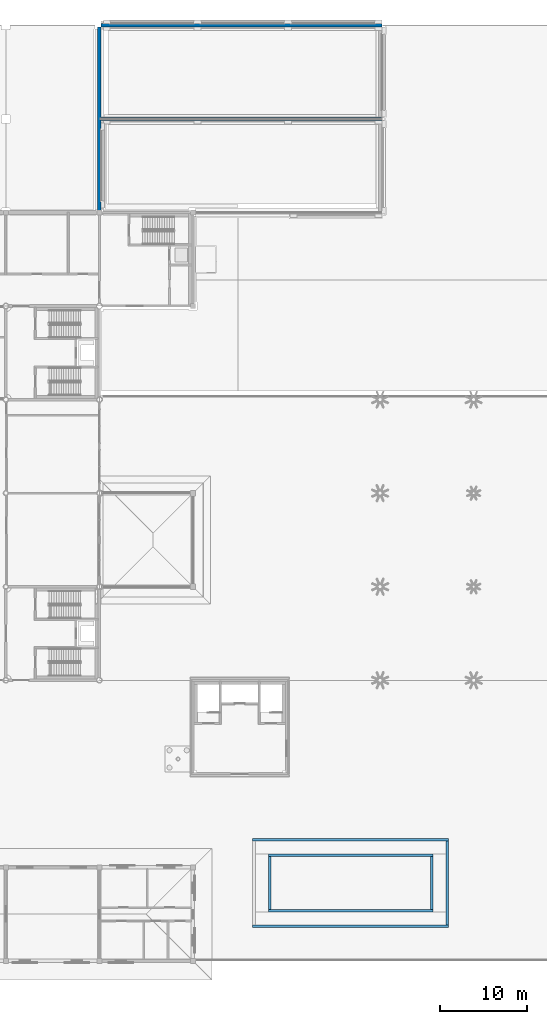
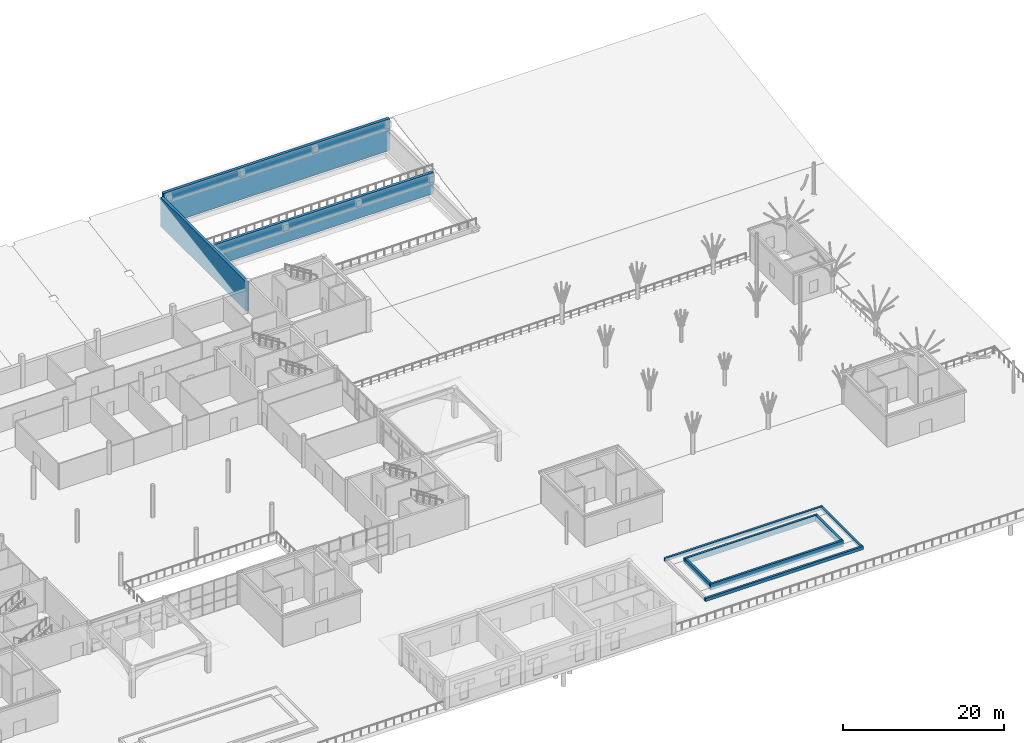
# One storey, part 53 of 91: 10 walls.
"""IFC4 building model written with IfcOpenShell, lengths in metres."""

from ifc_helpers import new_model, si_unit, direction, frame, frame_2d, origin, place, context, subcontext, project, spatial, rectangle, extrude, material, layer, layer_set, type_object, element, save


model = new_model("IFC4")

# Units and contexts
model_context = context("Model", 3, precision=1e-05, world=origin(), true_north=direction((0.0, 1.0)))
body_context = subcontext(model_context, "Body", "Model", "MODEL_VIEW")
ifc_project = project(units=[si_unit("LENGTHUNIT", "METRE"), si_unit("AREAUNIT", "SQUARE_METRE"), si_unit("VOLUMEUNIT", "CUBIC_METRE"), si_unit("PLANEANGLEUNIT", "RADIAN"), si_unit("MASSUNIT", "GRAM", prefix="KILO")], contexts=[model_context])

# Site, building, storey
site_placement = place(None, origin())
site = spatial("IfcSite", under=ifc_project, at=site_placement, CompositionType="ELEMENT")
building_placement = place(site_placement, origin())
building = spatial("IfcBuilding", under=site, at=building_placement, Name="Magnolia Steps Interchange", CompositionType="ELEMENT")
storey_placement = place(building_placement, origin())
storey = spatial("IfcBuildingStorey", under=building, at=storey_placement, Name="L00", CompositionType="ELEMENT", Elevation=0.0)

# Walls
ifc_material_1 = material(Name="Lime render on masonry", Category="masonry")
ifc_layer_1 = layer(ifc_material_1, 0.300048828125)
ifc_layer_set_1 = layer_set([ifc_layer_1], Name="Planter wall 300")
wall_type_1 = type_object("IfcWallType", Name="Planter wall 300", PredefinedType="PARAPET", material=ifc_layer_set_1)
for number, where, z_axis, x_axis, name in (
    (1, (135.699951171875, 14.0, 0.0), (0.0, 0.0, 1.0), (1.0, 0.0, 0.0), "Forecourt garden bed 2 wall S"),
    (2, (158.300048828125, 24.0, 0.0), (0.0, 0.0, 1.0), (-1.0, 0.0, 0.0), "Forecourt garden bed 2 wall N"),
):
    element("IfcWall", number, at=place(storey_placement, frame(where, z_axis=z_axis, x_axis=x_axis)), inside=storey, type_object=wall_type_1, Name=name, PredefinedType="PARAPET", context=body_context, shape_type="SweptSolid", body=[
        extrude(rectangle(XDim=22.60009765625, YDim=0.300048828125, at=frame_2d((11.300048828125, 0.0))), origin(), (0.0, 0.0, 1.0), 0.449951171875),
    ])
wall_1_placement = place(storey_placement, frame((158.14990234375, 14.14990234375, 0.0), z_axis=(0.0, 0.0, 1.0), x_axis=(0.0, 1.0, 0.0)))
element("IfcWall", 3, at=wall_1_placement, inside=storey, type_object=wall_type_1, Name="Forecourt garden bed 2 wall E", PredefinedType="PARAPET", context=body_context, shape_type="SweptSolid", body=[
    extrude(rectangle(XDim=9.7001953125, YDim=0.300048828125, at=frame_2d((4.85009765625, 0.0))), origin(), (0.0, 0.0, 1.0), 0.449951171875),
])
for number, where, z_axis, x_axis, name in (
    (4, (137.5, 15.800048828125, 0.0), (0.0, 0.0, 1.0), (1.0, 0.0, 0.0), "Forecourt garden bed 2 inner wall S"),
    (5, (156.5, 22.199951171875, 0.0), (0.0, 0.0, 1.0), (-1.0, 0.0, 0.0), "Forecourt garden bed 2 inner wall N"),
):
    element("IfcWall", number, at=place(storey_placement, frame(where, z_axis=z_axis, x_axis=x_axis)), inside=storey, type_object=wall_type_1, Name=name, PredefinedType="PARAPET", context=body_context, shape_type="SweptSolid", body=[
        extrude(rectangle(XDim=19.0, YDim=0.300048828125, at=frame_2d((9.5, 0.0))), origin(), (0.0, 0.0, 1.0), 0.89990234375),
    ])
for number, where, z_axis, x_axis, name in (
    (6, (137.64990234375, 22.050048828125, 0.0), (0.0, 0.0, 1.0), (0.0, -1.0, 0.0), "Forecourt garden bed 2 inner wall W"),
    (7, (156.35009765625, 15.949951171875, 0.0), (0.0, 0.0, 1.0), (0.0, 1.0, 0.0), "Forecourt garden bed 2 inner wall E"),
):
    element("IfcWall", number, at=place(storey_placement, frame(where, z_axis=z_axis, x_axis=x_axis)), inside=storey, type_object=wall_type_1, Name=name, PredefinedType="PARAPET", context=body_context, shape_type="SweptSolid", body=[
        extrude(rectangle(XDim=6.10009765625, YDim=0.300048828125, at=frame_2d((3.050048828125, 0.0))), origin(), (0.0, 0.0, 1.0), 0.89990234375),
    ])
ifc_material_2 = material(Name="Concrete C40", Category="concrete")
ifc_layer_2 = layer(ifc_material_2, 0.39990234375)
ifc_layer_set_2 = layer_set([ifc_layer_2], Name="Terrace retaining wall 400")
wall_type_2 = type_object("IfcWallType", Name="Terrace retaining wall 400", PredefinedType="SOLIDWALL", material=ifc_layer_set_2)
wall_2_placement = place(storey_placement, frame((118.0, 96.60009765625, 0.0), z_axis=(0.0, 0.0, 1.0), x_axis=(0.0, 1.0, 0.0)))
element("IfcWall", 8, at=wall_2_placement, inside=storey, type_object=wall_type_2, Name="Terrace retaining wall", PredefinedType="SOLIDWALL", context=body_context, shape_type="SweptSolid", body=[
    extrude(rectangle(XDim=21.199951171875, YDim=0.39990234375, at=frame_2d((10.60009765625, 0.0))), origin(), (0.0, 0.0, 1.0), 4.39990234375),
])
wall_3_placement = place(storey_placement, frame((150.60009765625, 107.199951171875, 0.0), z_axis=(0.0, 0.0, 1.0), x_axis=(-1.0, 0.0, 0.0)))
element("IfcWall", 9, at=wall_3_placement, inside=storey, type_object=wall_type_2, Name="Terrace wall E 2", PredefinedType="SOLIDWALL", context=body_context, shape_type="SweptSolid", body=[
    extrude(rectangle(XDim=32.400146484375, YDim=0.39990234375, at=frame_2d((16.2001953125, 0.0))), origin(), (0.0, 0.0, 1.0), 3.199951171875),
])
wall_4_placement = place(storey_placement, frame((150.60009765625, 118.0, 0.0), z_axis=(0.0, 0.0, 1.0), x_axis=(-1.0, 0.0, 0.0)))
element("IfcWall", 10, at=wall_4_placement, inside=storey, type_object=wall_type_2, Name="Terrace wall E 3", PredefinedType="SOLIDWALL", context=body_context, shape_type="SweptSolid", body=[
    extrude(rectangle(XDim=32.400146484375, YDim=0.39990234375, at=frame_2d((16.2001953125, 0.0))), origin(), (0.0, 0.0, 1.0), 4.800048828125),
])

save(model, "model.ifc")
